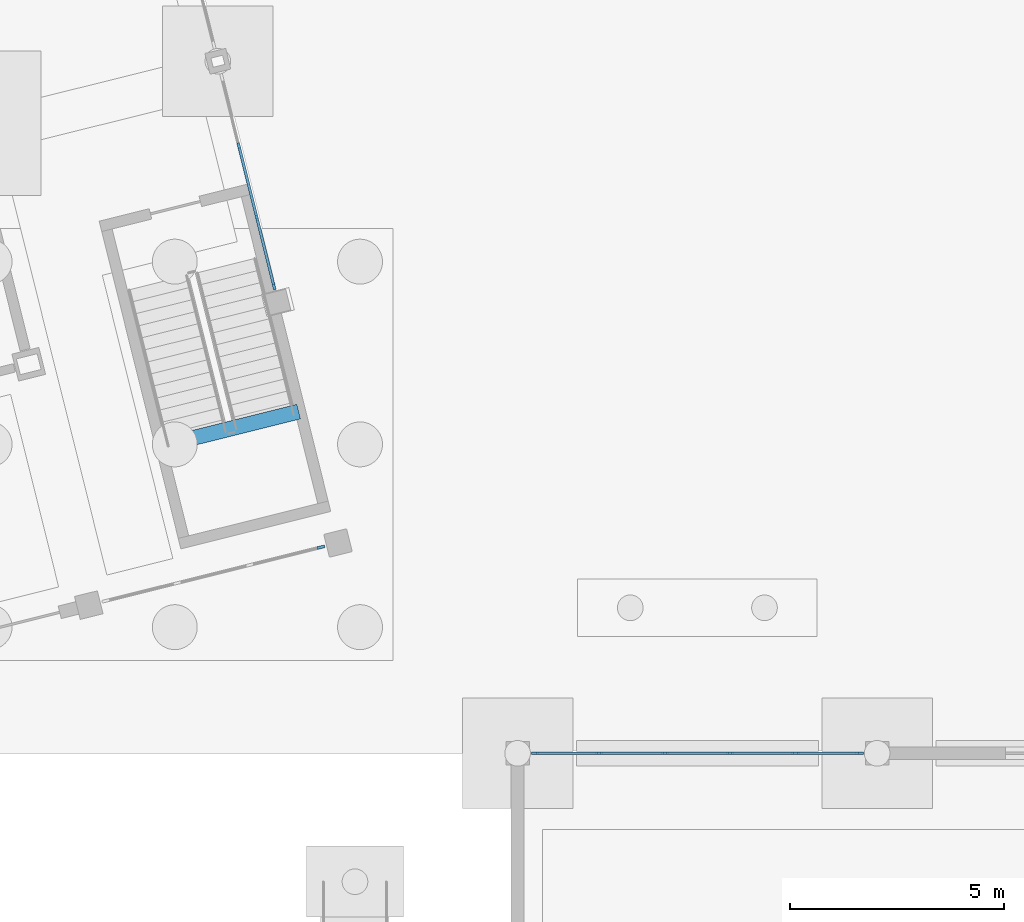
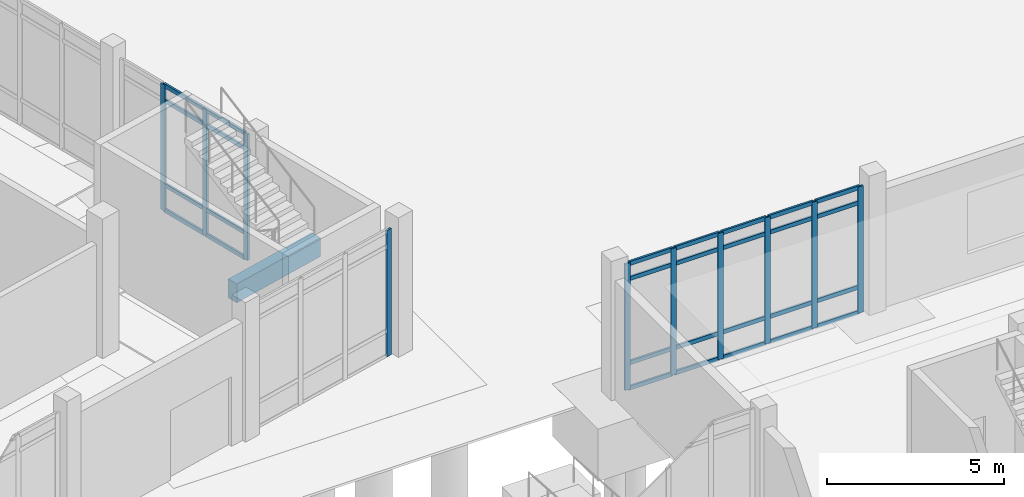
# One storey, part 9 of 72: 38 members, 1 beam, 3 elements without a shape of their own.
"""IFC4 building model written with IfcOpenShell, lengths in metres."""

from ifc_helpers import new_model, si_unit, direction, frame, origin, origin_2d, place, context, subcontext, project, spatial, rectangle, extrude, material, material_profile, profile_set, type_object, element, aggregate, save


model = new_model("IFC4")

# Units and contexts
model_context = context("Model", 3, precision=1e-05, world=origin(), true_north=direction((0.0, 1.0)))
body_context = subcontext(model_context, "Body", "Model", "MODEL_VIEW")
ifc_project = project(units=[si_unit("LENGTHUNIT", "METRE"), si_unit("AREAUNIT", "SQUARE_METRE"), si_unit("VOLUMEUNIT", "CUBIC_METRE"), si_unit("PLANEANGLEUNIT", "RADIAN"), si_unit("MASSUNIT", "GRAM", prefix="KILO")], contexts=[model_context])

# Site, building, storey
site_placement = place(None, origin())
site = spatial("IfcSite", under=ifc_project, at=site_placement, CompositionType="ELEMENT")
building_placement = place(site_placement, origin())
building = spatial("IfcBuilding", under=site, at=building_placement, Name="Cinderway Yard Community Centre", CompositionType="ELEMENT")
storey_placement = place(building_placement, origin())
storey = spatial("IfcBuildingStorey", under=building, at=storey_placement, Name="L00", CompositionType="ELEMENT", Elevation=0.0)

# Curtain wall, members
ifc_material_1 = material(Name="Aluminium 6063-T6", Category="aluminium")
curtain_wall_type_1 = type_object("IfcCurtainWallType", Name="ENV-CW-TYPE-01", PredefinedType="USERDEFINED", material=ifc_material_1)
curtain_wall_1_placement = place(storey_placement, origin())
curtain_wall_1 = element("IfcCurtainWall", 1, at=curtain_wall_1_placement, inside=storey, type_object=curtain_wall_type_1, Name="Main Hall Courtyard Curtain Wall ENV-CW-L00-HS-0001", ObjectType="GLAZED CURTAIN WALL", PredefinedType="USERDEFINED")
ifc_material_profile_1 = material_profile(ifc_material_1, rectangle(XDim=0.06494140625, YDim=0.179931640625, at=origin_2d()), Name="Aluminium 6063-T6")
ifc_profile_set_1 = profile_set([ifc_material_profile_1], Name="Aluminium 6063-T6")
member_type_1 = type_object("IfcMemberType", Name="ENV-CW-MULL-180", PredefinedType="MULLION", material=ifc_profile_set_1)
member_1_placement = place(storey_placement, frame((52.704833984375, 33.72021484375, 0.0), z_axis=(0.0, 0.0, 1.0), x_axis=(-0.97030436752, -0.241887234827, 0.0)))
member_1 = element("IfcMember", 2, at=member_1_placement, type_object=member_type_1, Name="CW-01 mullion 1", PredefinedType="MULLION", context=body_context, shape_type="SweptSolid", body=[
    extrude(rectangle(XDim=0.06494140625, YDim=0.179931640625, at=origin_2d()), origin(), (0.0, 0.0, 1.0), 4.35009765625),
])
member_2_placement = place(storey_placement, frame((52.30224609375, 35.334228515625, 0.0), z_axis=(0.0, 0.0, 1.0), x_axis=(-0.97030436752, -0.241887234827, 0.0)))
member_2 = element("IfcMember", 3, at=member_2_placement, type_object=member_type_1, Name="CW-01 mullion 2", PredefinedType="MULLION", context=body_context, shape_type="SweptSolid", body=[
    extrude(rectangle(XDim=0.06494140625, YDim=0.179931640625, at=origin_2d()), origin(), (0.0, 0.0, 1.0), 4.35009765625),
])
member_3_placement = place(storey_placement, frame((51.892578125, 36.977783203125, 0.0), z_axis=(0.0, 0.0, 1.0), x_axis=(-0.97030436752, -0.241887234827, 0.0)))
member_3 = element("IfcMember", 4, at=member_3_placement, type_object=member_type_1, Name="CW-01 mullion 3", PredefinedType="MULLION", context=body_context, shape_type="SweptSolid", body=[
    extrude(rectangle(XDim=0.06494140625, YDim=0.179931640625, at=origin_2d()), origin(), (0.0, 0.0, 1.0), 4.35009765625),
])

# Curtain wall, member
curtain_wall_type_2 = type_object("IfcCurtainWallType", Name="ENV-CW-TYPE-03", PredefinedType="USERDEFINED", material=ifc_material_1)
curtain_wall_2_placement = place(storey_placement, origin())
curtain_wall_2 = element("IfcCurtainWall", 5, at=curtain_wall_2_placement, inside=storey, type_object=curtain_wall_type_2, Name="Sanctuary South Curtain Wall ENV-CW-L00-HS-0009", ObjectType="GLAZED CURTAIN WALL", PredefinedType="USERDEFINED")
member_4_placement = place(storey_placement, frame((53.804931640625, 27.61474609375, 0.0), z_axis=(0.0, 0.0, 1.0), x_axis=(-0.241817034428, 0.970321865084, 0.0)))
member_4 = element("IfcMember", 6, at=member_4_placement, type_object=member_type_1, Name="CW-03 mullion 4", PredefinedType="MULLION", context=body_context, shape_type="SweptSolid", body=[
    extrude(rectangle(XDim=0.06494140625, YDim=0.179931640625, at=origin_2d()), origin(), (0.0, 0.0, 1.0), 4.35009765625),
])
aggregate(curtain_wall_2, [member_4])

# Curtain wall, members
curtain_wall_type_3 = type_object("IfcCurtainWallType", Name="ENV-CW-TYPE-24", PredefinedType="USERDEFINED", material=ifc_material_1)
curtain_wall_3_placement = place(storey_placement, origin())
curtain_wall_3 = element("IfcCurtainWall", 7, at=curtain_wall_3_placement, inside=storey, type_object=curtain_wall_type_3, Name="Dining Courtyard Curtain Wall ENV-CW-L00-HS-0090", ObjectType="GLAZED CURTAIN WALL", PredefinedType="USERDEFINED")
member_5_placement = place(storey_placement, frame((58.81005859375, 22.800048828125, 0.0), z_axis=(0.0, 0.0, 1.0), x_axis=(0.0, 1.0, 0.0)))
member_5 = element("IfcMember", 8, at=member_5_placement, type_object=member_type_1, Name="CW-24 mullion 1", PredefinedType="MULLION", context=body_context, shape_type="SweptSolid", body=[
    extrude(rectangle(XDim=0.06494140625, YDim=0.179931640625, at=origin_2d()), origin(), (0.0, 0.0, 1.0), 4.35009765625),
])
member_6_placement = place(storey_placement, frame((60.30810546875, 22.800048828125, 0.0), z_axis=(0.0, 0.0, 1.0), x_axis=(0.0, 1.0, 0.0)))
member_6 = element("IfcMember", 9, at=member_6_placement, type_object=member_type_1, Name="CW-24 mullion 2", PredefinedType="MULLION", context=body_context, shape_type="SweptSolid", body=[
    extrude(rectangle(XDim=0.06494140625, YDim=0.179931640625, at=origin_2d()), origin(), (0.0, 0.0, 1.0), 4.35009765625),
])
member_7_placement = place(storey_placement, frame((61.8359375, 22.800048828125, 0.0), z_axis=(0.0, 0.0, 1.0), x_axis=(0.0, 1.0, 0.0)))
member_7 = element("IfcMember", 10, at=member_7_placement, type_object=member_type_1, Name="CW-24 mullion 3", PredefinedType="MULLION", context=body_context, shape_type="SweptSolid", body=[
    extrude(rectangle(XDim=0.06494140625, YDim=0.179931640625, at=origin_2d()), origin(), (0.0, 0.0, 1.0), 4.35009765625),
])
member_8_placement = place(storey_placement, frame((63.364013671875, 22.800048828125, 0.0), z_axis=(0.0, 0.0, 1.0), x_axis=(0.0, 1.0, 0.0)))
member_8 = element("IfcMember", 11, at=member_8_placement, type_object=member_type_1, Name="CW-24 mullion 4", PredefinedType="MULLION", context=body_context, shape_type="SweptSolid", body=[
    extrude(rectangle(XDim=0.06494140625, YDim=0.179931640625, at=origin_2d()), origin(), (0.0, 0.0, 1.0), 4.35009765625),
])
member_9_placement = place(storey_placement, frame((64.89208984375, 22.800048828125, 0.0), z_axis=(0.0, 0.0, 1.0), x_axis=(0.0, 1.0, 0.0)))
member_9 = element("IfcMember", 12, at=member_9_placement, type_object=member_type_1, Name="CW-24 mullion 5", PredefinedType="MULLION", context=body_context, shape_type="SweptSolid", body=[
    extrude(rectangle(XDim=0.06494140625, YDim=0.179931640625, at=origin_2d()), origin(), (0.0, 0.0, 1.0), 4.35009765625),
])
member_10_placement = place(storey_placement, frame((66.389892578125, 22.800048828125, 0.0), z_axis=(0.0, 0.0, 1.0), x_axis=(0.0, 1.0, 0.0)))
member_10 = element("IfcMember", 13, at=member_10_placement, type_object=member_type_1, Name="CW-24 mullion 6", PredefinedType="MULLION", context=body_context, shape_type="SweptSolid", body=[
    extrude(rectangle(XDim=0.06494140625, YDim=0.179931640625, at=origin_2d()), origin(), (0.0, 0.0, 1.0), 4.35009765625),
])

# Member
ifc_material_profile_2 = material_profile(ifc_material_1, rectangle(XDim=0.06494140625, YDim=0.139892578125, at=origin_2d()), Name="Aluminium 6063-T6")
ifc_profile_set_2 = profile_set([ifc_material_profile_2], Name="Aluminium 6063-T6")
member_type_2 = type_object("IfcMemberType", Name="ENV-CW-TRAN-140", PredefinedType="USERDEFINED", material=ifc_profile_set_2)
member_11_placement = place(storey_placement, frame((52.697509765625, 33.749267578125, 0.030029296875), z_axis=(-0.241926573916, 0.970294559829, 0.0), x_axis=(-0.970294559829, -0.241926573916, 0.0)))
member_11 = element("IfcMember", 14, at=member_11_placement, type_object=member_type_2, Name="CW-01 transom 1.1", ObjectType="TRANSOM", PredefinedType="USERDEFINED", context=body_context, shape_type="SweptSolid", body=[
    extrude(rectangle(XDim=0.06494140625, YDim=0.139892578125, at=origin_2d()), origin(), (0.0, 0.0, 1.0), 1.603515625),
])

member_12_placement = place(storey_placement, frame((52.697509765625, 33.749267578125, 0.89990234375), z_axis=(-0.241926573916, 0.970294559829, 0.0), x_axis=(-0.970294559829, -0.241926573916, 0.0)))
member_12 = element("IfcMember", 15, at=member_12_placement, type_object=member_type_2, Name="CW-01 transom 1.2", ObjectType="TRANSOM", PredefinedType="USERDEFINED", context=body_context, shape_type="SweptSolid", body=[
    extrude(rectangle(XDim=0.06494140625, YDim=0.139892578125, at=origin_2d()), origin(), (0.0, 0.0, 1.0), 1.603515625),
])

member_13_placement = place(storey_placement, frame((52.697509765625, 33.749267578125, 3.800048828125), z_axis=(-0.241926573916, 0.970294559829, 0.0), x_axis=(-0.970294559829, -0.241926573916, 0.0)))
member_13 = element("IfcMember", 16, at=member_13_placement, type_object=member_type_2, Name="CW-01 transom 1.3", ObjectType="TRANSOM", PredefinedType="USERDEFINED", context=body_context, shape_type="SweptSolid", body=[
    extrude(rectangle(XDim=0.06494140625, YDim=0.139892578125, at=origin_2d()), origin(), (0.0, 0.0, 1.0), 1.603515625),
])

member_14_placement = place(storey_placement, frame((52.697509765625, 33.749267578125, 4.320068359375), z_axis=(-0.241926573916, 0.970294559829, 0.0), x_axis=(-0.970294559829, -0.241926573916, 0.0)))
member_14 = element("IfcMember", 17, at=member_14_placement, type_object=member_type_2, Name="CW-01 transom 1.4", ObjectType="TRANSOM", PredefinedType="USERDEFINED", context=body_context, shape_type="SweptSolid", body=[
    extrude(rectangle(XDim=0.06494140625, YDim=0.139892578125, at=origin_2d()), origin(), (0.0, 0.0, 1.0), 1.603515625),
])

member_15_placement = place(storey_placement, frame((52.295166015625, 35.363525390625, 0.030029296875), z_axis=(-0.241972917865, 0.970283003571, 0.0), x_axis=(-0.970283003571, -0.241972917865, 0.0)))
member_15 = element("IfcMember", 18, at=member_15_placement, type_object=member_type_2, Name="CW-01 transom 2.1", ObjectType="TRANSOM", PredefinedType="USERDEFINED", context=body_context, shape_type="SweptSolid", body=[
    extrude(rectangle(XDim=0.06494140625, YDim=0.139892578125, at=origin_2d()), origin(), (0.0, 0.0, 1.0), 1.633544921875),
])

member_16_placement = place(storey_placement, frame((52.295166015625, 35.363525390625, 0.89990234375), z_axis=(-0.241972917865, 0.970283003571, 0.0), x_axis=(-0.970283003571, -0.241972917865, 0.0)))
member_16 = element("IfcMember", 19, at=member_16_placement, type_object=member_type_2, Name="CW-01 transom 2.2", ObjectType="TRANSOM", PredefinedType="USERDEFINED", context=body_context, shape_type="SweptSolid", body=[
    extrude(rectangle(XDim=0.06494140625, YDim=0.139892578125, at=origin_2d()), origin(), (0.0, 0.0, 1.0), 1.633544921875),
])

member_17_placement = place(storey_placement, frame((52.295166015625, 35.363525390625, 3.800048828125), z_axis=(-0.241972917865, 0.970283003571, 0.0), x_axis=(-0.970283003571, -0.241972917865, 0.0)))
member_17 = element("IfcMember", 20, at=member_17_placement, type_object=member_type_2, Name="CW-01 transom 2.3", ObjectType="TRANSOM", PredefinedType="USERDEFINED", context=body_context, shape_type="SweptSolid", body=[
    extrude(rectangle(XDim=0.06494140625, YDim=0.139892578125, at=origin_2d()), origin(), (0.0, 0.0, 1.0), 1.633544921875),
])

member_18_placement = place(storey_placement, frame((52.295166015625, 35.363525390625, 4.320068359375), z_axis=(-0.241972917865, 0.970283003571, 0.0), x_axis=(-0.970283003571, -0.241972917865, 0.0)))
member_18 = element("IfcMember", 21, at=member_18_placement, type_object=member_type_2, Name="CW-01 transom 2.4", ObjectType="TRANSOM", PredefinedType="USERDEFINED", context=body_context, shape_type="SweptSolid", body=[
    extrude(rectangle(XDim=0.06494140625, YDim=0.139892578125, at=origin_2d()), origin(), (0.0, 0.0, 1.0), 1.633544921875),
])

aggregate(curtain_wall_1, [member_1, member_2, member_3, member_11, member_12, member_13, member_14, member_15, member_16, member_17, member_18])

member_19_placement = place(storey_placement, frame((58.840087890625, 22.800048828125, 0.030029296875), z_axis=(1.0, 0.0, 0.0), x_axis=(0.0, 1.0, 0.0)))
member_19 = element("IfcMember", 22, at=member_19_placement, type_object=member_type_2, Name="CW-24 transom 1.1", ObjectType="TRANSOM", PredefinedType="USERDEFINED", context=body_context, shape_type="SweptSolid", body=[
    extrude(rectangle(XDim=0.06494140625, YDim=0.139892578125, at=origin_2d()), origin(), (0.0, 0.0, 1.0), 1.43798828125),
])

member_20_placement = place(storey_placement, frame((58.840087890625, 22.800048828125, 0.89990234375), z_axis=(1.0, 0.0, 0.0), x_axis=(0.0, 1.0, 0.0)))
member_20 = element("IfcMember", 23, at=member_20_placement, type_object=member_type_2, Name="CW-24 transom 1.2", ObjectType="TRANSOM", PredefinedType="USERDEFINED", context=body_context, shape_type="SweptSolid", body=[
    extrude(rectangle(XDim=0.06494140625, YDim=0.139892578125, at=origin_2d()), origin(), (0.0, 0.0, 1.0), 1.43798828125),
])

member_21_placement = place(storey_placement, frame((58.840087890625, 22.800048828125, 3.800048828125), z_axis=(1.0, 0.0, 0.0), x_axis=(0.0, 1.0, 0.0)))
member_21 = element("IfcMember", 24, at=member_21_placement, type_object=member_type_2, Name="CW-24 transom 1.3", ObjectType="TRANSOM", PredefinedType="USERDEFINED", context=body_context, shape_type="SweptSolid", body=[
    extrude(rectangle(XDim=0.06494140625, YDim=0.139892578125, at=origin_2d()), origin(), (0.0, 0.0, 1.0), 1.43798828125),
])

member_22_placement = place(storey_placement, frame((58.840087890625, 22.800048828125, 4.320068359375), z_axis=(1.0, 0.0, 0.0), x_axis=(0.0, 1.0, 0.0)))
member_22 = element("IfcMember", 25, at=member_22_placement, type_object=member_type_2, Name="CW-24 transom 1.4", ObjectType="TRANSOM", PredefinedType="USERDEFINED", context=body_context, shape_type="SweptSolid", body=[
    extrude(rectangle(XDim=0.06494140625, YDim=0.139892578125, at=origin_2d()), origin(), (0.0, 0.0, 1.0), 1.43798828125),
])

member_23_placement = place(storey_placement, frame((60.337890625, 22.800048828125, 0.030029296875), z_axis=(1.0, 0.0, 0.0), x_axis=(0.0, 1.0, 0.0)))
member_23 = element("IfcMember", 26, at=member_23_placement, type_object=member_type_2, Name="CW-24 transom 2.1", ObjectType="TRANSOM", PredefinedType="USERDEFINED", context=body_context, shape_type="SweptSolid", body=[
    extrude(rectangle(XDim=0.06494140625, YDim=0.139892578125, at=origin_2d()), origin(), (0.0, 0.0, 1.0), 1.468017578125),
])

member_24_placement = place(storey_placement, frame((60.337890625, 22.800048828125, 0.89990234375), z_axis=(1.0, 0.0, 0.0), x_axis=(0.0, 1.0, 0.0)))
member_24 = element("IfcMember", 27, at=member_24_placement, type_object=member_type_2, Name="CW-24 transom 2.2", ObjectType="TRANSOM", PredefinedType="USERDEFINED", context=body_context, shape_type="SweptSolid", body=[
    extrude(rectangle(XDim=0.06494140625, YDim=0.139892578125, at=origin_2d()), origin(), (0.0, 0.0, 1.0), 1.468017578125),
])

member_25_placement = place(storey_placement, frame((60.337890625, 22.800048828125, 3.800048828125), z_axis=(1.0, 0.0, 0.0), x_axis=(0.0, 1.0, 0.0)))
member_25 = element("IfcMember", 28, at=member_25_placement, type_object=member_type_2, Name="CW-24 transom 2.3", ObjectType="TRANSOM", PredefinedType="USERDEFINED", context=body_context, shape_type="SweptSolid", body=[
    extrude(rectangle(XDim=0.06494140625, YDim=0.139892578125, at=origin_2d()), origin(), (0.0, 0.0, 1.0), 1.468017578125),
])

member_26_placement = place(storey_placement, frame((60.337890625, 22.800048828125, 4.320068359375), z_axis=(1.0, 0.0, 0.0), x_axis=(0.0, 1.0, 0.0)))
member_26 = element("IfcMember", 29, at=member_26_placement, type_object=member_type_2, Name="CW-24 transom 2.4", ObjectType="TRANSOM", PredefinedType="USERDEFINED", context=body_context, shape_type="SweptSolid", body=[
    extrude(rectangle(XDim=0.06494140625, YDim=0.139892578125, at=origin_2d()), origin(), (0.0, 0.0, 1.0), 1.468017578125),
])

member_27_placement = place(storey_placement, frame((61.865966796875, 22.800048828125, 0.030029296875), z_axis=(1.0, 0.0, 0.0), x_axis=(0.0, 1.0, 0.0)))
member_27 = element("IfcMember", 30, at=member_27_placement, type_object=member_type_2, Name="CW-24 transom 3.1", ObjectType="TRANSOM", PredefinedType="USERDEFINED", context=body_context, shape_type="SweptSolid", body=[
    extrude(rectangle(XDim=0.06494140625, YDim=0.139892578125, at=origin_2d()), origin(), (0.0, 0.0, 1.0), 1.468017578125),
])

member_28_placement = place(storey_placement, frame((61.865966796875, 22.800048828125, 0.89990234375), z_axis=(1.0, 0.0, 0.0), x_axis=(0.0, 1.0, 0.0)))
member_28 = element("IfcMember", 31, at=member_28_placement, type_object=member_type_2, Name="CW-24 transom 3.2", ObjectType="TRANSOM", PredefinedType="USERDEFINED", context=body_context, shape_type="SweptSolid", body=[
    extrude(rectangle(XDim=0.06494140625, YDim=0.139892578125, at=origin_2d()), origin(), (0.0, 0.0, 1.0), 1.468017578125),
])

member_29_placement = place(storey_placement, frame((61.865966796875, 22.800048828125, 3.800048828125), z_axis=(1.0, 0.0, 0.0), x_axis=(0.0, 1.0, 0.0)))
member_29 = element("IfcMember", 32, at=member_29_placement, type_object=member_type_2, Name="CW-24 transom 3.3", ObjectType="TRANSOM", PredefinedType="USERDEFINED", context=body_context, shape_type="SweptSolid", body=[
    extrude(rectangle(XDim=0.06494140625, YDim=0.139892578125, at=origin_2d()), origin(), (0.0, 0.0, 1.0), 1.468017578125),
])

member_30_placement = place(storey_placement, frame((61.865966796875, 22.800048828125, 4.320068359375), z_axis=(1.0, 0.0, 0.0), x_axis=(0.0, 1.0, 0.0)))
member_30 = element("IfcMember", 33, at=member_30_placement, type_object=member_type_2, Name="CW-24 transom 3.4", ObjectType="TRANSOM", PredefinedType="USERDEFINED", context=body_context, shape_type="SweptSolid", body=[
    extrude(rectangle(XDim=0.06494140625, YDim=0.139892578125, at=origin_2d()), origin(), (0.0, 0.0, 1.0), 1.468017578125),
])

member_31_placement = place(storey_placement, frame((63.39404296875, 22.800048828125, 0.030029296875), z_axis=(1.0, 0.0, 0.0), x_axis=(0.0, 1.0, 0.0)))
member_31 = element("IfcMember", 34, at=member_31_placement, type_object=member_type_2, Name="CW-24 transom 4.1", ObjectType="TRANSOM", PredefinedType="USERDEFINED", context=body_context, shape_type="SweptSolid", body=[
    extrude(rectangle(XDim=0.06494140625, YDim=0.139892578125, at=origin_2d()), origin(), (0.0, 0.0, 1.0), 1.468017578125),
])

member_32_placement = place(storey_placement, frame((63.39404296875, 22.800048828125, 0.89990234375), z_axis=(1.0, 0.0, 0.0), x_axis=(0.0, 1.0, 0.0)))
member_32 = element("IfcMember", 35, at=member_32_placement, type_object=member_type_2, Name="CW-24 transom 4.2", ObjectType="TRANSOM", PredefinedType="USERDEFINED", context=body_context, shape_type="SweptSolid", body=[
    extrude(rectangle(XDim=0.06494140625, YDim=0.139892578125, at=origin_2d()), origin(), (0.0, 0.0, 1.0), 1.468017578125),
])

member_33_placement = place(storey_placement, frame((63.39404296875, 22.800048828125, 3.800048828125), z_axis=(1.0, 0.0, 0.0), x_axis=(0.0, 1.0, 0.0)))
member_33 = element("IfcMember", 36, at=member_33_placement, type_object=member_type_2, Name="CW-24 transom 4.3", ObjectType="TRANSOM", PredefinedType="USERDEFINED", context=body_context, shape_type="SweptSolid", body=[
    extrude(rectangle(XDim=0.06494140625, YDim=0.139892578125, at=origin_2d()), origin(), (0.0, 0.0, 1.0), 1.468017578125),
])

member_34_placement = place(storey_placement, frame((63.39404296875, 22.800048828125, 4.320068359375), z_axis=(1.0, 0.0, 0.0), x_axis=(0.0, 1.0, 0.0)))
member_34 = element("IfcMember", 37, at=member_34_placement, type_object=member_type_2, Name="CW-24 transom 4.4", ObjectType="TRANSOM", PredefinedType="USERDEFINED", context=body_context, shape_type="SweptSolid", body=[
    extrude(rectangle(XDim=0.06494140625, YDim=0.139892578125, at=origin_2d()), origin(), (0.0, 0.0, 1.0), 1.468017578125),
])

member_35_placement = place(storey_placement, frame((64.922119140625, 22.800048828125, 0.030029296875), z_axis=(1.0, 0.0, 0.0), x_axis=(0.0, 1.0, 0.0)))
member_35 = element("IfcMember", 38, at=member_35_placement, type_object=member_type_2, Name="CW-24 transom 5.1", ObjectType="TRANSOM", PredefinedType="USERDEFINED", context=body_context, shape_type="SweptSolid", body=[
    extrude(rectangle(XDim=0.06494140625, YDim=0.139892578125, at=origin_2d()), origin(), (0.0, 0.0, 1.0), 1.43798828125),
])

member_36_placement = place(storey_placement, frame((64.922119140625, 22.800048828125, 0.89990234375), z_axis=(1.0, 0.0, 0.0), x_axis=(0.0, 1.0, 0.0)))
member_36 = element("IfcMember", 39, at=member_36_placement, type_object=member_type_2, Name="CW-24 transom 5.2", ObjectType="TRANSOM", PredefinedType="USERDEFINED", context=body_context, shape_type="SweptSolid", body=[
    extrude(rectangle(XDim=0.06494140625, YDim=0.139892578125, at=origin_2d()), origin(), (0.0, 0.0, 1.0), 1.43798828125),
])

member_37_placement = place(storey_placement, frame((64.922119140625, 22.800048828125, 3.800048828125), z_axis=(1.0, 0.0, 0.0), x_axis=(0.0, 1.0, 0.0)))
member_37 = element("IfcMember", 40, at=member_37_placement, type_object=member_type_2, Name="CW-24 transom 5.3", ObjectType="TRANSOM", PredefinedType="USERDEFINED", context=body_context, shape_type="SweptSolid", body=[
    extrude(rectangle(XDim=0.06494140625, YDim=0.139892578125, at=origin_2d()), origin(), (0.0, 0.0, 1.0), 1.43798828125),
])

member_38_placement = place(storey_placement, frame((64.922119140625, 22.800048828125, 4.320068359375), z_axis=(1.0, 0.0, 0.0), x_axis=(0.0, 1.0, 0.0)))
member_38 = element("IfcMember", 41, at=member_38_placement, type_object=member_type_2, Name="CW-24 transom 5.4", ObjectType="TRANSOM", PredefinedType="USERDEFINED", context=body_context, shape_type="SweptSolid", body=[
    extrude(rectangle(XDim=0.06494140625, YDim=0.139892578125, at=origin_2d()), origin(), (0.0, 0.0, 1.0), 1.43798828125),
])

aggregate(curtain_wall_3, [member_5, member_6, member_7, member_8, member_9, member_10, member_19, member_20, member_21, member_22, member_23, member_24, member_25, member_26, member_27, member_28, member_29, member_30, member_31, member_32, member_33, member_34, member_35, member_36, member_37, member_38])

# Beam
ifc_material_2 = material(Name="Concrete C35/45", Category="concrete")
ifc_material_profile_3 = material_profile(ifc_material_2, rectangle(XDim=0.35009765625, YDim=0.64990234375, at=origin_2d()), Name="Concrete C35/45")
ifc_profile_set_3 = profile_set([ifc_material_profile_3], Name="Concrete C35/45")
beam_type = type_object("IfcBeamType", Name="STR-BM-RC350X650", PredefinedType="BEAM", material=ifc_profile_set_3)
beam_placement = place(storey_placement, frame((50.10009765625, 29.989990234375, 2.074951171875), z_axis=(0.970269326292, 0.24202775555, 0.0), x_axis=(-0.24202775555, 0.970269326292, 0.0)))
element("IfcBeam", 42, at=beam_placement, inside=storey, type_object=beam_type, Name="Stair half-landing trimmer C3A L00", PredefinedType="BEAM", context=body_context, shape_type="SweptSolid", body=[
    extrude(rectangle(XDim=0.35009765625, YDim=0.64990234375, at=origin_2d()), origin(), (0.0, 0.0, 1.0), 3.2802734375),
])

save(model, "model.ifc")
